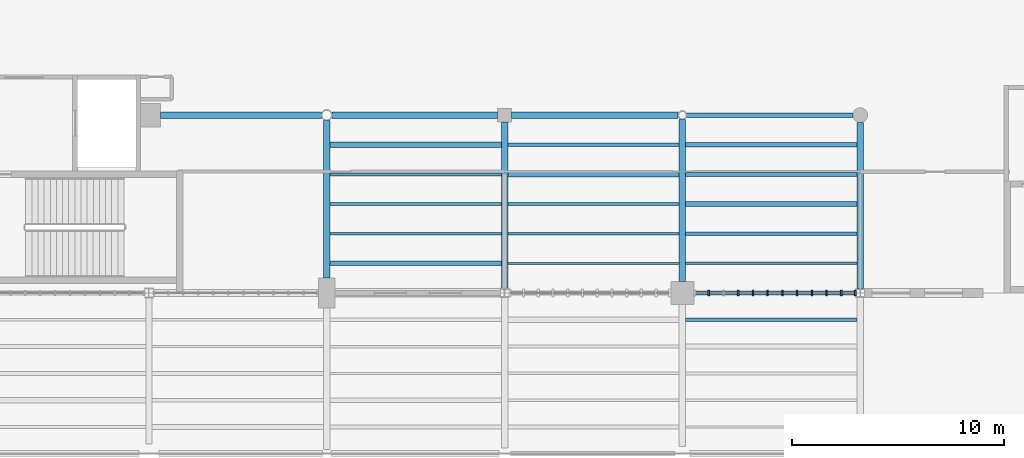
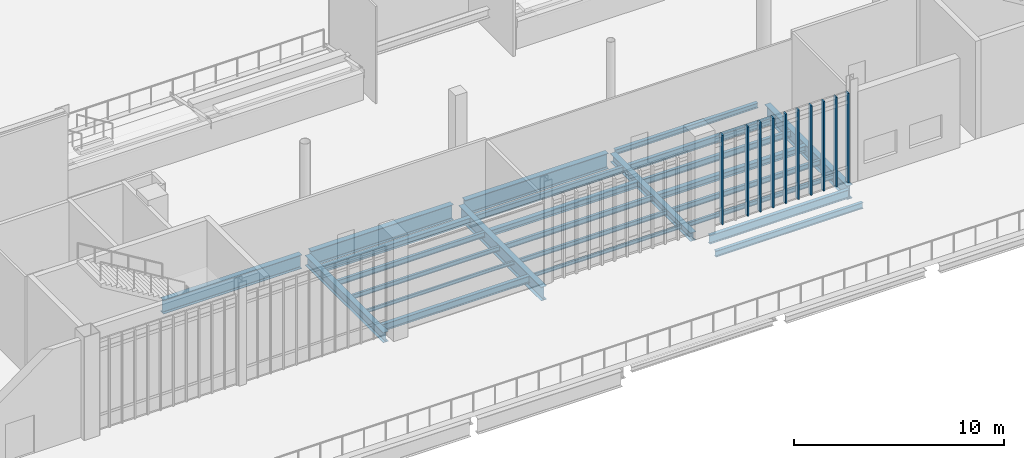
# One storey, part 11 of 135: 25 beams, 10 members, 1 element without a shape of its own.
"""IFC4 building model written with IfcOpenShell, lengths in metres."""

import ifcopenshell
import ifcopenshell.guid

model = None  # the IFC model being written
_history = None  # IfcOwnerHistory: only IFC2X3 demands one
_inside = {}  # id of a spatial element -> (the spatial element, [elements in it])
_under = {}  # id of a project, library or spatial element -> (it, [spatial elements below it])
_declared = {}  # id of a project -> (the project, [libraries it declares])
_typed = {}  # id of a type object -> (the type object, [elements of that type])
_made_of = {}  # id of a material, layer set ... -> (it, [elements and type objects made of it])


def new_model(schema):
    """Start an empty IFC model of exactly this schema.

    Asked for "IFC4X3", IfcOpenShell would pick the latest addendum, in which some entities
    have other attributes; the version numbers below select the first issue.
    IFC2X3 requires an IfcOwnerHistory on every rooted entity: one is made here for all.
    """
    global model, _history
    if schema == "IFC4X3":
        model = ifcopenshell.file(schema_version=(4, 3, 0, 0))
    else:
        model = ifcopenshell.file(schema=schema)
    _inside.clear()
    _under.clear()
    _declared.clear()
    _typed.clear()
    _made_of.clear()
    _history = None
    if model.schema == "IFC2X3":
        org = make("IfcOrganization", Name="unknown")
        user = make(
            "IfcPersonAndOrganization",
            ThePerson=make("IfcPerson", FamilyName="unknown"),
            TheOrganization=org,
        )
        app = make(
            "IfcApplication",
            ApplicationDeveloper=org,
            Version="unknown",
            ApplicationFullName="unknown",
            ApplicationIdentifier="unknown",
        )
        _history = make(
            "IfcOwnerHistory",
            OwningUser=user,
            OwningApplication=app,
            ChangeAction="ADDED",
            CreationDate=0,
        )
    return model


def make(cls, **values):
    """One entity of the class cls with the attributes given. An attribute that is None is left unset."""
    return model.create_entity(
        cls, **{name: value for name, value in values.items() if value is not None}
    )


def rooted(cls, **values):
    """An entity with a GlobalId (a new one), such as an element, a storey or a relation."""
    return make(cls, GlobalId=ifcopenshell.guid.new(), OwnerHistory=_history, **values)


def si_unit(unit_type, name, prefix=None):
    """IfcSIUnit, for example si_unit("LENGTHUNIT", "METRE", prefix="MILLI")."""
    return make("IfcSIUnit", UnitType=unit_type, Prefix=prefix, Name=name)


def assignment(units):
    """IfcUnitAssignment: the units of a project."""
    return None if units is None else make("IfcUnitAssignment", Units=units)


def point(xyz):
    """IfcCartesianPoint."""
    return None if xyz is None else make("IfcCartesianPoint", Coordinates=xyz)


def direction(xyz):
    """IfcDirection."""
    return None if xyz is None else make("IfcDirection", DirectionRatios=xyz)


def frame(location, z_axis=None, x_axis=None):
    """IfcAxis2Placement3D, a coordinate frame: its origin and axes. An axis left out is left unset."""
    return make(
        "IfcAxis2Placement3D",
        Location=point(location),
        Axis=direction(z_axis),
        RefDirection=direction(x_axis),
    )


def frame_2d(location, x_axis=None):
    """IfcAxis2Placement2D, a coordinate frame in the plane: its origin and x axis."""
    return make(
        "IfcAxis2Placement2D", Location=point(location), RefDirection=direction(x_axis)
    )


def origin():
    """The frame at (0, 0, 0) with its axes left unset."""
    return frame((0.0, 0.0, 0.0))


def origin_2d():
    """The frame at (0, 0) in the plane with its x axis left unset."""
    return frame_2d((0.0, 0.0))


def place(relative_to, where):
    """IfcLocalPlacement: puts the frame where relative to a parent placement (None: the world)."""
    return make(
        "IfcLocalPlacement", PlacementRelTo=relative_to, RelativePlacement=where
    )


def context(
    kind, dimensions, precision=None, world=None, true_north=None, identifier=None
):
    """IfcGeometricRepresentationContext, for example the 3D "Model" context."""
    return make(
        "IfcGeometricRepresentationContext",
        ContextIdentifier=identifier,
        ContextType=kind,
        CoordinateSpaceDimension=dimensions,
        Precision=precision,
        WorldCoordinateSystem=world,
        TrueNorth=true_north,
    )


def subcontext(parent, identifier, kind, view, scale=None):
    """IfcGeometricRepresentationSubContext, for example "Body" below "Model"."""
    return make(
        "IfcGeometricRepresentationSubContext",
        ContextIdentifier=identifier,
        ContextType=kind,
        ParentContext=parent,
        TargetScale=scale,
        TargetView=view,
    )


def project(units=None, contexts=None):
    """IfcProject with its units and contexts."""
    return rooted(
        "IfcProject",
        Name="project",
        RepresentationContexts=contexts,
        UnitsInContext=assignment(units),
    )


def spatial(cls, under=None, at=None, **own):
    """A site, building, storey or space (cls), placed at a placement, below another one or the project."""
    s = rooted(cls, ObjectPlacement=at, **own)
    if under is not None:
        _under.setdefault(under.id(), (under, []))[1].append(s)
    return s


def profile(cls, at=None, kind="AREA", **sizes):
    """A parametric profile (cls). Its sizes go by their IFC names, for example OverallWidth=200.0."""
    return make(cls, ProfileType=kind, Position=at, **sizes)


def rectangle(**sizes):
    """IfcRectangleProfileDef."""
    return profile("IfcRectangleProfileDef", **sizes)


def i_section(**sizes):
    """IfcIShapeProfileDef."""
    return profile("IfcIShapeProfileDef", **sizes)


def extrude(swept, where, along, depth):
    """IfcExtrudedAreaSolid: the profile swept, set in the frame where, extruded along a direction by depth."""
    return make(
        "IfcExtrudedAreaSolid",
        SweptArea=swept,
        Position=where,
        ExtrudedDirection=direction(along),
        Depth=depth,
    )


def shape(context_of_items, identifier, shape_type, items):
    """IfcShapeRepresentation: the items that make up one representation, for example the "Body"."""
    return make(
        "IfcShapeRepresentation",
        ContextOfItems=context_of_items,
        RepresentationIdentifier=identifier,
        RepresentationType=shape_type,
        Items=items,
    )


def material(Name=None, Category=None):
    """IfcMaterial."""
    return make("IfcMaterial", Name=Name, Category=Category)


def material_profile(
    of_material, cross_section, Name=None, Category=None, Priority=None
):
    """IfcMaterialProfile: a cross section and its material."""
    return make(
        "IfcMaterialProfile",
        Name=Name,
        Material=of_material,
        Profile=cross_section,
        Priority=Priority,
        Category=Category,
    )


def profile_set(profiles, Name=None, composite=None):
    """IfcMaterialProfileSet."""
    return make(
        "IfcMaterialProfileSet",
        Name=Name,
        MaterialProfiles=profiles,
        CompositeProfile=composite,
    )


def made_of(thing, what):
    """Note that an element or type object is made of a material, layer set ...; save() writes the relation."""
    if what is not None:
        _made_of.setdefault(what.id(), (what, []))[1].append(thing)
    return thing


def type_object(cls, material=None, **own):
    """A type object (cls), such as IfcWallType, which elements share."""
    return made_of(rooted(cls, **own), material)


def element(
    cls,
    number,
    at=None,
    inside=None,
    cuts=None,
    type_object=None,
    material=None,
    context=None,
    identifier="Body",
    shape_type=None,
    held_by="IfcProductDefinitionShape",
    body=None,
    shapes=None,
    **own,
):
    """One element of the class cls, such as IfcWall. Its Tag is "e" and its number.

    at: its placement. inside: the storey or other place that contains it. cuts: it is an
    opening in that element (IfcRelVoidsElement). A single representation is given by context,
    identifier, shape_type and body (its items); several are given by shapes. held_by: the class
    of the entity that holds the representations. save() writes the other relations.
    """
    e = rooted(cls, Tag="e%d" % number, ObjectPlacement=at, **own)
    if body is not None:
        shapes = [shape(context, identifier, shape_type, body)]
    if shapes is not None:
        e.Representation = make(held_by, Representations=shapes)
    if inside is not None:
        _inside.setdefault(inside.id(), (inside, []))[1].append(e)
    if cuts is not None:
        rooted(
            "IfcRelVoidsElement", RelatingBuildingElement=cuts, RelatedOpeningElement=e
        )
    if type_object is not None:
        _typed.setdefault(type_object.id(), (type_object, []))[1].append(e)
    return made_of(e, material)


def aggregate(whole, parts):
    """IfcRelAggregates: a whole, such as a stair, and the parts it consists of."""
    return rooted("IfcRelAggregates", RelatingObject=whole, RelatedObjects=parts)


def save(model, path):
    """Write the relations noted so far, then the file.

    IfcRelAggregates (storeys below a building ...), IfcRelContainedInSpatialStructure (elements
    in a storey), IfcRelDefinesByType, IfcRelAssociatesMaterial and IfcRelDeclares: one each for
    every whole, place, type object, material and project.
    """
    for whole, parts in _under.values():
        aggregate(whole, parts)
    for where, things in _inside.values():
        rooted(
            "IfcRelContainedInSpatialStructure",
            RelatedElements=things,
            RelatingStructure=where,
        )
    for kind, things in _typed.values():
        rooted("IfcRelDefinesByType", RelatedObjects=things, RelatingType=kind)
    for what, things in _made_of.values():
        rooted("IfcRelAssociatesMaterial", RelatedObjects=things, RelatingMaterial=what)
    for by, libraries in _declared.values():
        rooted("IfcRelDeclares", RelatingContext=by, RelatedDefinitions=libraries)
    model.write(path)


model = new_model("IFC4")

# Units and contexts
model_context = context("Model", 3, precision=1e-05, world=origin(), true_north=direction((0.0, 1.0)))
body_context = subcontext(model_context, "Body", "Model", "MODEL_VIEW")
ifc_project = project(units=[si_unit("LENGTHUNIT", "METRE"), si_unit("AREAUNIT", "SQUARE_METRE"), si_unit("VOLUMEUNIT", "CUBIC_METRE"), si_unit("PLANEANGLEUNIT", "RADIAN"), si_unit("MASSUNIT", "GRAM", prefix="KILO")], contexts=[model_context])

# Site, building, storey
site_placement = place(None, origin())
site = spatial("IfcSite", under=ifc_project, at=site_placement, CompositionType="ELEMENT")
building_placement = place(site_placement, origin())
building = spatial("IfcBuilding", under=site, at=building_placement, Name="Larkvane Passage Sports Hall", CompositionType="ELEMENT")
storey_placement = place(building_placement, frame((0.0, 0.0, 10.800048828125)))
storey = spatial("IfcBuildingStorey", under=building, at=storey_placement, Name="L02", CompositionType="ELEMENT", Elevation=10.800048828125)

# Beams
ifc_material_1 = material(Name="Steel S355JR", Category="steel")
ifc_material_profile_1 = material_profile(ifc_material_1, i_section(OverallWidth=0.199951171875, OverallDepth=0.2939453125, WebThickness=0.008056640625, FlangeThickness=0.011962890625, FilletRadius=0.012939453125, at=origin_2d()), Name="H-294x200x8x12")
ifc_profile_set_1 = profile_set([ifc_material_profile_1], Name="Steel S355JR")
beam_type_1 = type_object("IfcBeamType", Name="BM-STL-H294", PredefinedType="BEAM", material=ifc_profile_set_1)
beam_1_placement = place(storey_placement, frame((68.603271484375, 31.199951171875, -0.567138671875), z_axis=(1.0, 0.0, 0.0), x_axis=(0.0, 1.0, 0.0)))
element("IfcBeam", 1, at=beam_1_placement, inside=storey, type_object=beam_type_1, Name="Girder BM5-X-L02-E-0690", PredefinedType="BEAM", context=body_context, shape_type="SweptSolid", body=[
    extrude(i_section(OverallWidth=0.199951171875, OverallDepth=0.2939453125, WebThickness=0.008056640625, FlangeThickness=0.011962890625, FilletRadius=0.012939453125, at=origin_2d()), origin(), (0.0, 0.0, 1.0), 7.8466796875),
])
ifc_material_profile_2 = material_profile(ifc_material_1, i_section(OverallWidth=0.300048828125, OverallDepth=0.488037109375, WebThickness=0.010986328125, FlangeThickness=0.01806640625, FilletRadius=0.02197265625, at=origin_2d()), Name="H-488x300x11x18")
ifc_profile_set_2 = profile_set([ifc_material_profile_2], Name="Steel S355JR")
beam_type_2 = type_object("IfcBeamType", Name="BM-STL-H488", PredefinedType="BEAM", material=ifc_profile_set_2)
beam_2_placement = place(storey_placement, frame((68.39990234375, 23.35009765625, -0.6640625), z_axis=(0.0, 1.0, 0.0), x_axis=(-1.0, 0.0, 0.0)))
element("IfcBeam", 2, at=beam_2_placement, inside=storey, type_object=beam_type_2, Name="Girder BM5-Y-L02-10-0758", PredefinedType="BEAM", context=body_context, shape_type="SweptSolid", body=[
    extrude(i_section(OverallWidth=0.300048828125, OverallDepth=0.488037109375, WebThickness=0.010986328125, FlangeThickness=0.01806640625, FilletRadius=0.02197265625, at=origin_2d()), origin(), (0.0, 0.0, 1.0), 7.646728515625),
])
ifc_material_2 = material(Name="Steel S460N", Category="steel")
ifc_material_profile_3 = material_profile(ifc_material_2, i_section(OverallWidth=0.300048828125, OverallDepth=0.58203125, WebThickness=0.011962890625, FlangeThickness=0.01708984375, FilletRadius=0.02197265625, at=origin_2d()), Name="H-582x300x12x17")
ifc_profile_set_3 = profile_set([ifc_material_profile_3], Name="Steel S460N")
beam_type_3 = type_object("IfcBeamType", Name="BM-STL-H582", PredefinedType="BEAM", material=ifc_profile_set_3)
beam_3_placement = place(storey_placement, frame((51.60009765625, 23.5, -0.7109375), z_axis=(0.0, 1.0, 0.0), x_axis=(-1.0, 0.0, 0.0)))
element("IfcBeam", 3, at=beam_3_placement, inside=storey, type_object=beam_type_3, Name="Girder BM5-Y-L02-8-0746", PredefinedType="BEAM", context=body_context, shape_type="SweptSolid", body=[
    extrude(i_section(OverallWidth=0.300048828125, OverallDepth=0.58203125, WebThickness=0.011962890625, FlangeThickness=0.01708984375, FilletRadius=0.02197265625, at=origin_2d()), origin(), (0.0, 0.0, 1.0), 7.446044921875),
])
ifc_material_profile_4 = material_profile(ifc_material_2, i_section(OverallWidth=0.300048828125, OverallDepth=0.7919921875, WebThickness=0.013916015625, FlangeThickness=0.02197265625, FilletRadius=0.02197265625, at=origin_2d()), Name="H-792x300x14x22")
ifc_profile_set_4 = profile_set([ifc_material_profile_4], Name="Steel S460N")
beam_type_4 = type_object("IfcBeamType", Name="BM-STL-H792", PredefinedType="BEAM", material=ifc_profile_set_4)
beam_4_placement = place(storey_placement, frame((76.800048828125, 23.007080078125, -0.816162109375), z_axis=(0.0, 1.0, 0.0), x_axis=(-1.0, 0.0, 0.0)))
element("IfcBeam", 4, at=beam_4_placement, inside=storey, type_object=beam_type_4, Name="Girder BM5-Y-L02-11-0764", PredefinedType="BEAM", context=body_context, shape_type="SweptSolid", body=[
    extrude(i_section(OverallWidth=0.300048828125, OverallDepth=0.7919921875, WebThickness=0.013916015625, FlangeThickness=0.02197265625, FilletRadius=0.02197265625, at=origin_2d()), origin(), (0.0, 0.0, 1.0), 7.843017578125),
])
ifc_material_profile_5 = material_profile(ifc_material_2, i_section(OverallWidth=0.300048828125, OverallDepth=0.800048828125, WebThickness=0.013916015625, FlangeThickness=0.02587890625, FilletRadius=0.02197265625, at=origin_2d()), Name="H-800x300x14x26")
ifc_profile_set_5 = profile_set([ifc_material_profile_5], Name="Steel S460N")
beam_type_5 = type_object("IfcBeamType", Name="BM-STL-H800", PredefinedType="BEAM", material=ifc_profile_set_5)
beam_5_placement = place(storey_placement, frame((43.75, 31.199951171875, -0.820068359375), z_axis=(1.0, 0.0, 0.0), x_axis=(0.0, 1.0, 0.0)))
element("IfcBeam", 5, at=beam_5_placement, inside=storey, type_object=beam_type_5, Name="Girder BM5-X-L02-E-0687", PredefinedType="BEAM", context=body_context, shape_type="SweptSolid", body=[
    extrude(i_section(OverallWidth=0.300048828125, OverallDepth=0.800048828125, WebThickness=0.013916015625, FlangeThickness=0.02587890625, FilletRadius=0.02197265625, at=origin_2d()), origin(), (0.0, 0.0, 1.0), 7.595947265625),
])
beam_6_placement = place(storey_placement, frame((60.0, 23.013916015625, -0.820068359375), z_axis=(0.0, 1.0, 0.0), x_axis=(-1.0, 0.0, 0.0)))
element("IfcBeam", 6, at=beam_6_placement, inside=storey, type_object=beam_type_5, Name="Girder BM5-Y-L02-9-0752", PredefinedType="BEAM", context=body_context, shape_type="SweptSolid", body=[
    extrude(i_section(OverallWidth=0.300048828125, OverallDepth=0.800048828125, WebThickness=0.013916015625, FlangeThickness=0.02587890625, FilletRadius=0.02197265625, at=origin_2d()), origin(), (0.0, 0.0, 1.0), 7.861083984375),
])
ifc_material_profile_6 = material_profile(ifc_material_2, i_section(OverallWidth=0.299072265625, OverallDepth=0.889892578125, WebThickness=0.014892578125, FlangeThickness=0.02294921875, FilletRadius=0.02197265625, at=origin_2d()), Name="H-890x299x15x23")
ifc_profile_set_6 = profile_set([ifc_material_profile_6], Name="Steel S460N")
beam_type_6 = type_object("IfcBeamType", Name="BM-STL-H890", PredefinedType="BEAM", material=ifc_profile_set_6)
beam_7_placement = place(storey_placement, frame((51.85400390625, 31.199951171875, -0.864990234375), z_axis=(1.0, 0.0, 0.0), x_axis=(0.0, 1.0, 0.0)))
element("IfcBeam", 7, at=beam_7_placement, inside=storey, type_object=beam_type_6, Name="Girder BM5-X-L02-E-0688", PredefinedType="BEAM", context=body_context, shape_type="SweptSolid", body=[
    extrude(i_section(OverallWidth=0.299072265625, OverallDepth=0.889892578125, WebThickness=0.014892578125, FlangeThickness=0.02294921875, FilletRadius=0.02197265625, at=origin_2d()), origin(), (0.0, 0.0, 1.0), 7.821044921875),
])
ifc_material_profile_7 = material_profile(ifc_material_2, i_section(OverallWidth=0.300048828125, OverallDepth=0.89990234375, WebThickness=0.01611328125, FlangeThickness=0.028076171875, FilletRadius=0.02197265625, at=origin_2d()), Name="H-900x300x16x28")
ifc_profile_set_7 = profile_set([ifc_material_profile_7], Name="Steel S460N")
beam_type_7 = type_object("IfcBeamType", Name="BM-STL-H900", PredefinedType="BEAM", material=ifc_profile_set_7)
beam_8_placement = place(storey_placement, frame((60.324951171875, 31.199951171875, -0.8701171875), z_axis=(1.0, 0.0, 0.0), x_axis=(0.0, 1.0, 0.0)))
element("IfcBeam", 8, at=beam_8_placement, inside=storey, type_object=beam_type_7, Name="Girder BM5-X-L02-E-0689", PredefinedType="BEAM", context=body_context, shape_type="SweptSolid", body=[
    extrude(i_section(OverallWidth=0.300048828125, OverallDepth=0.89990234375, WebThickness=0.01611328125, FlangeThickness=0.028076171875, FilletRadius=0.02197265625, at=origin_2d()), origin(), (0.0, 0.0, 1.0), 7.871826171875),
])

# Curtain wall, members
ifc_material_3 = material(Name="Thermally broken aluminium and low-E glazing", Category="aluminium")
curtain_wall_type = type_object("IfcCurtainWallType", Name="CW-STICK-FOYER", PredefinedType="USERDEFINED", material=ifc_material_3)
curtain_wall_placement = place(storey_placement, origin())
curtain_wall = element("IfcCurtainWall", 9, at=curtain_wall_placement, inside=storey, type_object=curtain_wall_type, Name="Curtain wall CW5-L02-086", ObjectType="STICK CURTAIN WALL", PredefinedType="USERDEFINED")
ifc_material_4 = material(Name="Anodised aluminium 6063-T6", Category="aluminium")
ifc_material_profile_8 = material_profile(ifc_material_4, rectangle(XDim=0.080078125, YDim=0.25, at=origin_2d()), Name="ALU-MUL-80x250")
ifc_profile_set_8 = profile_set([ifc_material_profile_8], Name="Anodised aluminium 6063-T6")
member_type = type_object("IfcMemberType", Name="CW-MUL-80x250", PredefinedType="MULLION", material=ifc_profile_set_8)
member_1_placement = place(storey_placement, frame((76.5615234375, 22.800048828125, 0.0), z_axis=(0.0, 0.0, 1.0), x_axis=(-1.0, 0.0, 0.0)))
member_1 = element("IfcMember", 10, at=member_1_placement, type_object=member_type, Name="CW-03 mullion 1", PredefinedType="MULLION", context=body_context, shape_type="SweptSolid", body=[
    extrude(rectangle(XDim=0.080078125, YDim=0.25, at=origin_2d()), origin(), (0.0, 0.0, 1.0), 5.197998046875),
])
member_2_placement = place(storey_placement, frame((75.905517578125, 22.800048828125, 0.0), z_axis=(0.0, 0.0, 1.0), x_axis=(-1.0, 0.0, 0.0)))
member_2 = element("IfcMember", 11, at=member_2_placement, type_object=member_type, Name="CW-03 mullion 2", PredefinedType="MULLION", context=body_context, shape_type="SweptSolid", body=[
    extrude(rectangle(XDim=0.080078125, YDim=0.25, at=origin_2d()), origin(), (0.0, 0.0, 1.0), 5.197998046875),
])
member_3_placement = place(storey_placement, frame((75.20947265625, 22.800048828125, 0.0), z_axis=(0.0, 0.0, 1.0), x_axis=(-1.0, 0.0, 0.0)))
member_3 = element("IfcMember", 12, at=member_3_placement, type_object=member_type, Name="CW-03 mullion 3", PredefinedType="MULLION", context=body_context, shape_type="SweptSolid", body=[
    extrude(rectangle(XDim=0.080078125, YDim=0.25, at=origin_2d()), origin(), (0.0, 0.0, 1.0), 5.197998046875),
])
member_4_placement = place(storey_placement, frame((74.513671875, 22.800048828125, 0.0), z_axis=(0.0, 0.0, 1.0), x_axis=(-1.0, 0.0, 0.0)))
member_4 = element("IfcMember", 13, at=member_4_placement, type_object=member_type, Name="CW-03 mullion 4", PredefinedType="MULLION", context=body_context, shape_type="SweptSolid", body=[
    extrude(rectangle(XDim=0.080078125, YDim=0.25, at=origin_2d()), origin(), (0.0, 0.0, 1.0), 5.197998046875),
])
member_5_placement = place(storey_placement, frame((73.817626953125, 22.800048828125, 0.0), z_axis=(0.0, 0.0, 1.0), x_axis=(-1.0, 0.0, 0.0)))
member_5 = element("IfcMember", 14, at=member_5_placement, type_object=member_type, Name="CW-03 mullion 5", PredefinedType="MULLION", context=body_context, shape_type="SweptSolid", body=[
    extrude(rectangle(XDim=0.080078125, YDim=0.25, at=origin_2d()), origin(), (0.0, 0.0, 1.0), 5.197998046875),
])
member_6_placement = place(storey_placement, frame((73.121826171875, 22.800048828125, 0.0), z_axis=(0.0, 0.0, 1.0), x_axis=(-1.0, 0.0, 0.0)))
member_6 = element("IfcMember", 15, at=member_6_placement, type_object=member_type, Name="CW-03 mullion 6", PredefinedType="MULLION", context=body_context, shape_type="SweptSolid", body=[
    extrude(rectangle(XDim=0.080078125, YDim=0.25, at=origin_2d()), origin(), (0.0, 0.0, 1.0), 5.197998046875),
])
member_7_placement = place(storey_placement, frame((72.42578125, 22.800048828125, 0.0), z_axis=(0.0, 0.0, 1.0), x_axis=(-1.0, 0.0, 0.0)))
member_7 = element("IfcMember", 16, at=member_7_placement, type_object=member_type, Name="CW-03 mullion 7", PredefinedType="MULLION", context=body_context, shape_type="SweptSolid", body=[
    extrude(rectangle(XDim=0.080078125, YDim=0.25, at=origin_2d()), origin(), (0.0, 0.0, 1.0), 5.197998046875),
])
member_8_placement = place(storey_placement, frame((71.729736328125, 22.800048828125, 0.0), z_axis=(0.0, 0.0, 1.0), x_axis=(-1.0, 0.0, 0.0)))
member_8 = element("IfcMember", 17, at=member_8_placement, type_object=member_type, Name="CW-03 mullion 8", PredefinedType="MULLION", context=body_context, shape_type="SweptSolid", body=[
    extrude(rectangle(XDim=0.080078125, YDim=0.25, at=origin_2d()), origin(), (0.0, 0.0, 1.0), 5.197998046875),
])
member_9_placement = place(storey_placement, frame((71.033935546875, 22.800048828125, 0.0), z_axis=(0.0, 0.0, 1.0), x_axis=(-1.0, 0.0, 0.0)))
member_9 = element("IfcMember", 18, at=member_9_placement, type_object=member_type, Name="CW-03 mullion 9", PredefinedType="MULLION", context=body_context, shape_type="SweptSolid", body=[
    extrude(rectangle(XDim=0.080078125, YDim=0.25, at=origin_2d()), origin(), (0.0, 0.0, 1.0), 5.197998046875),
])
member_10_placement = place(storey_placement, frame((69.641845703125, 22.800048828125, 0.0), z_axis=(0.0, 0.0, 1.0), x_axis=(-1.0, 0.0, 0.0)))
member_10 = element("IfcMember", 19, at=member_10_placement, type_object=member_type, Name="CW-03 mullion 11", PredefinedType="MULLION", context=body_context, shape_type="SweptSolid", body=[
    extrude(rectangle(XDim=0.080078125, YDim=0.25, at=origin_2d()), origin(), (0.0, 0.0, 1.0), 5.197998046875),
])
aggregate(curtain_wall, [member_1, member_2, member_3, member_4, member_5, member_6, member_7, member_8, member_9, member_10])

# Beams
ifc_material_profile_9 = material_profile(ifc_material_1, i_section(OverallWidth=0.10009765625, OverallDepth=0.199951171875, WebThickness=0.005615234375, FlangeThickness=0.008056640625, FilletRadius=0.008056640625, at=origin_2d()), Name="H-200x100x5.5x8")
ifc_profile_set_9 = profile_set([ifc_material_profile_9], Name="Steel S355JR")
beam_type_8 = type_object("IfcBeamType", Name="JST-STL-H200", PredefinedType="JOIST", material=ifc_profile_set_9)
for number, where, z_axis, x_axis, name in (
    (20, (51.75, 25.60009765625, -0.52001953125), (1.0, 0.0, 0.0), (0.0, 1.0, 0.0), "Composite joist L02 8/D-2"),
    (21, (60.14990234375, 24.199951171875, -0.52001953125), (1.0, 0.0, 0.0), (0.0, 1.0, 0.0), "Composite joist L02 9/D-1"),
):
    element("IfcBeam", number, at=place(storey_placement, frame(where, z_axis=z_axis, x_axis=x_axis)), inside=storey, type_object=beam_type_8, Name=name, PredefinedType="JOIST", context=body_context, shape_type="SweptSolid", body=[
        extrude(i_section(OverallWidth=0.10009765625, OverallDepth=0.199951171875, WebThickness=0.005615234375, FlangeThickness=0.008056640625, FilletRadius=0.008056640625, at=origin_2d()), origin(), (0.0, 0.0, 1.0), 8.10009765625),
    ])
ifc_material_profile_10 = material_profile(ifc_material_1, i_section(OverallWidth=0.125, OverallDepth=0.25, WebThickness=0.006103515625, FlangeThickness=0.009033203125, FilletRadius=0.008056640625, at=origin_2d()), Name="H-250x125x6x9")
ifc_profile_set_10 = profile_set([ifc_material_profile_10], Name="Steel S355JR")
beam_type_9 = type_object("IfcBeamType", Name="JST-STL-H250", PredefinedType="JOIST", material=ifc_profile_set_10)
for number, where, z_axis, x_axis, name in (
    (22, (51.75, 27.0, -0.545166015625), (1.0, 0.0, 0.0), (0.0, 1.0, 0.0), "Composite joist L02 8/D-3"),
    (23, (60.14990234375, 25.60009765625, -0.545166015625), (1.0, 0.0, 0.0), (0.0, 1.0, 0.0), "Composite joist L02 9/D-2"),
):
    element("IfcBeam", number, at=place(storey_placement, frame(where, z_axis=z_axis, x_axis=x_axis)), inside=storey, type_object=beam_type_9, Name=name, PredefinedType="JOIST", context=body_context, shape_type="SweptSolid", body=[
        extrude(i_section(OverallWidth=0.125, OverallDepth=0.25, WebThickness=0.006103515625, FlangeThickness=0.009033203125, FilletRadius=0.008056640625, at=origin_2d()), origin(), (0.0, 0.0, 1.0), 8.10009765625),
    ])
beam_9_placement = place(storey_placement, frame((68.550048828125, 24.199951171875, -0.545166015625), z_axis=(1.0, 0.0, 0.0), x_axis=(0.0, 1.0, 0.0)))
element("IfcBeam", 24, at=beam_9_placement, inside=storey, type_object=beam_type_9, Name="Composite joist L02 10/D-1", PredefinedType="JOIST", context=body_context, shape_type="SweptSolid", body=[
    extrude(i_section(OverallWidth=0.125, OverallDepth=0.25, WebThickness=0.006103515625, FlangeThickness=0.009033203125, FilletRadius=0.008056640625, at=origin_2d()), origin(), (0.0, 0.0, 1.0), 8.099853515625),
])
ifc_material_profile_11 = material_profile(ifc_material_1, i_section(OverallWidth=0.14990234375, OverallDepth=0.300048828125, WebThickness=0.006591796875, FlangeThickness=0.009033203125, FilletRadius=0.012939453125, at=origin_2d()), Name="H-300x150x6.5x9")
ifc_profile_set_11 = profile_set([ifc_material_profile_11], Name="Steel S355JR")
beam_type_10 = type_object("IfcBeamType", Name="JST-STL-H300", PredefinedType="JOIST", material=ifc_profile_set_11)
for number, where, z_axis, x_axis, name in (
    (25, (51.75, 28.39990234375, -0.570068359375), (1.0, 0.0, 0.0), (0.0, 1.0, 0.0), "Composite joist L02 8/D-4"),
    (26, (60.14990234375, 27.0, -0.570068359375), (1.0, 0.0, 0.0), (0.0, 1.0, 0.0), "Composite joist L02 9/D-3"),
):
    element("IfcBeam", number, at=place(storey_placement, frame(where, z_axis=z_axis, x_axis=x_axis)), inside=storey, type_object=beam_type_10, Name=name, PredefinedType="JOIST", context=body_context, shape_type="SweptSolid", body=[
        extrude(i_section(OverallWidth=0.14990234375, OverallDepth=0.300048828125, WebThickness=0.006591796875, FlangeThickness=0.009033203125, FilletRadius=0.012939453125, at=origin_2d()), origin(), (0.0, 0.0, 1.0), 8.10009765625),
    ])
beam_10_placement = place(storey_placement, frame((68.550048828125, 25.60009765625, -0.570068359375), z_axis=(1.0, 0.0, 0.0), x_axis=(0.0, 1.0, 0.0)))
element("IfcBeam", 27, at=beam_10_placement, inside=storey, type_object=beam_type_10, Name="Composite joist L02 10/D-2", PredefinedType="JOIST", context=body_context, shape_type="SweptSolid", body=[
    extrude(i_section(OverallWidth=0.14990234375, OverallDepth=0.300048828125, WebThickness=0.006591796875, FlangeThickness=0.009033203125, FilletRadius=0.012939453125, at=origin_2d()), origin(), (0.0, 0.0, 1.0), 8.099853515625),
])
ifc_material_profile_12 = material_profile(ifc_material_1, i_section(OverallWidth=0.25, OverallDepth=0.340087890625, WebThickness=0.009033203125, FlangeThickness=0.013916015625, FilletRadius=0.012939453125, at=origin_2d()), Name="H-340x250x9x14")
ifc_profile_set_12 = profile_set([ifc_material_profile_12], Name="Steel S355JR")
beam_type_11 = type_object("IfcBeamType", Name="JST-STL-H340", PredefinedType="JOIST", material=ifc_profile_set_12)
for number, where, z_axis, x_axis, name in (
    (28, (51.75, 29.800048828125, -0.590087890625), (1.0, 0.0, 0.0), (0.0, 1.0, 0.0), "Composite joist L02 8/D-5"),
    (29, (60.14990234375, 28.39990234375, -0.590087890625), (1.0, 0.0, 0.0), (0.0, 1.0, 0.0), "Composite joist L02 9/D-4"),
):
    element("IfcBeam", number, at=place(storey_placement, frame(where, z_axis=z_axis, x_axis=x_axis)), inside=storey, type_object=beam_type_11, Name=name, PredefinedType="JOIST", context=body_context, shape_type="SweptSolid", body=[
        extrude(i_section(OverallWidth=0.25, OverallDepth=0.340087890625, WebThickness=0.009033203125, FlangeThickness=0.013916015625, FilletRadius=0.012939453125, at=origin_2d()), origin(), (0.0, 0.0, 1.0), 8.10009765625),
    ])
beam_11_placement = place(storey_placement, frame((68.550048828125, 27.0, -0.590087890625), z_axis=(1.0, 0.0, 0.0), x_axis=(0.0, 1.0, 0.0)))
element("IfcBeam", 30, at=beam_11_placement, inside=storey, type_object=beam_type_11, Name="Composite joist L02 10/D-3", PredefinedType="JOIST", context=body_context, shape_type="SweptSolid", body=[
    extrude(i_section(OverallWidth=0.25, OverallDepth=0.340087890625, WebThickness=0.009033203125, FlangeThickness=0.013916015625, FilletRadius=0.012939453125, at=origin_2d()), origin(), (0.0, 0.0, 1.0), 8.099853515625),
])
ifc_material_profile_13 = material_profile(ifc_material_1, i_section(OverallWidth=0.175048828125, OverallDepth=0.35009765625, WebThickness=0.007080078125, FlangeThickness=0.010986328125, FilletRadius=0.012939453125, at=origin_2d()), Name="H-350x175x7x11")
ifc_profile_set_13 = profile_set([ifc_material_profile_13], Name="Steel S355JR")
beam_type_12 = type_object("IfcBeamType", Name="JST-STL-H350", PredefinedType="JOIST", material=ifc_profile_set_13)
beam_12_placement = place(storey_placement, frame((60.14990234375, 29.800048828125, -0.594970703125), z_axis=(1.0, 0.0, 0.0), x_axis=(0.0, 1.0, 0.0)))
element("IfcBeam", 31, at=beam_12_placement, inside=storey, type_object=beam_type_12, Name="Composite joist L02 9/D-5", PredefinedType="JOIST", context=body_context, shape_type="SweptSolid", body=[
    extrude(i_section(OverallWidth=0.175048828125, OverallDepth=0.35009765625, WebThickness=0.007080078125, FlangeThickness=0.010986328125, FilletRadius=0.012939453125, at=origin_2d()), origin(), (0.0, 0.0, 1.0), 8.10009765625),
])
for number, where, z_axis, x_axis, name in (
    (32, (68.550048828125, 21.533447265625, -0.594970703125), (1.0, 0.0, 0.0), (0.0, 1.0, 0.0), "Composite joist L02 10/C-5"),
    (33, (68.550048828125, 28.39990234375, -0.594970703125), (1.0, 0.0, 0.0), (0.0, 1.0, 0.0), "Composite joist L02 10/D-4"),
):
    element("IfcBeam", number, at=place(storey_placement, frame(where, z_axis=z_axis, x_axis=x_axis)), inside=storey, type_object=beam_type_12, Name=name, PredefinedType="JOIST", context=body_context, shape_type="SweptSolid", body=[
        extrude(i_section(OverallWidth=0.175048828125, OverallDepth=0.35009765625, WebThickness=0.007080078125, FlangeThickness=0.010986328125, FilletRadius=0.012939453125, at=origin_2d()), origin(), (0.0, 0.0, 1.0), 8.099853515625),
    ])
ifc_material_profile_14 = material_profile(ifc_material_1, i_section(OverallWidth=0.199951171875, OverallDepth=0.39990234375, WebThickness=0.008056640625, FlangeThickness=0.012939453125, FilletRadius=0.012939453125, at=origin_2d()), Name="H-400x200x8x13")
ifc_profile_set_14 = profile_set([ifc_material_profile_14], Name="Steel S355JR")
beam_type_13 = type_object("IfcBeamType", Name="JST-STL-H400", PredefinedType="JOIST", material=ifc_profile_set_14)
beam_13_placement = place(storey_placement, frame((51.75, 24.199951171875, -0.6201171875), z_axis=(1.0, 0.0, 0.0), x_axis=(0.0, 1.0, 0.0)))
element("IfcBeam", 34, at=beam_13_placement, inside=storey, type_object=beam_type_13, Name="Composite joist L02 8/D-1", PredefinedType="JOIST", context=body_context, shape_type="SweptSolid", body=[
    extrude(i_section(OverallWidth=0.199951171875, OverallDepth=0.39990234375, WebThickness=0.008056640625, FlangeThickness=0.012939453125, FilletRadius=0.012939453125, at=origin_2d()), origin(), (0.0, 0.0, 1.0), 8.10009765625),
])
beam_14_placement = place(storey_placement, frame((68.550048828125, 29.800048828125, -0.6201171875), z_axis=(1.0, 0.0, 0.0), x_axis=(0.0, 1.0, 0.0)))
element("IfcBeam", 35, at=beam_14_placement, inside=storey, type_object=beam_type_13, Name="Composite joist L02 10/D-5", PredefinedType="JOIST", context=body_context, shape_type="SweptSolid", body=[
    extrude(i_section(OverallWidth=0.199951171875, OverallDepth=0.39990234375, WebThickness=0.008056640625, FlangeThickness=0.012939453125, FilletRadius=0.012939453125, at=origin_2d()), origin(), (0.0, 0.0, 1.0), 8.099853515625),
])
ifc_material_profile_15 = material_profile(ifc_material_1, i_section(OverallWidth=0.199951171875, OverallDepth=0.5, WebThickness=0.010009765625, FlangeThickness=0.01611328125, FilletRadius=0.01806640625, at=origin_2d()), Name="H-500x200x10x16")
ifc_profile_set_15 = profile_set([ifc_material_profile_15], Name="Steel S355JR")
beam_type_14 = type_object("IfcBeamType", Name="SP-STL-H500", PredefinedType="SPANDREL", material=ifc_profile_set_15)
beam_15_placement = place(storey_placement, frame((68.949951171875, 22.800048828125, -0.670166015625), z_axis=(1.0, 0.0, 0.0), x_axis=(0.0, 1.0, 0.0)))
element("IfcBeam", 36, at=beam_15_placement, inside=storey, type_object=beam_type_14, Name="Girder BM5-X-L02-D-0684", PredefinedType="SPANDREL", context=body_context, shape_type="SweptSolid", body=[
    extrude(i_section(OverallWidth=0.199951171875, OverallDepth=0.5, WebThickness=0.010009765625, FlangeThickness=0.01611328125, FilletRadius=0.01806640625, at=origin_2d()), origin(), (0.0, 0.0, 1.0), 7.6474609375),
])

save(model, "model.ifc")
